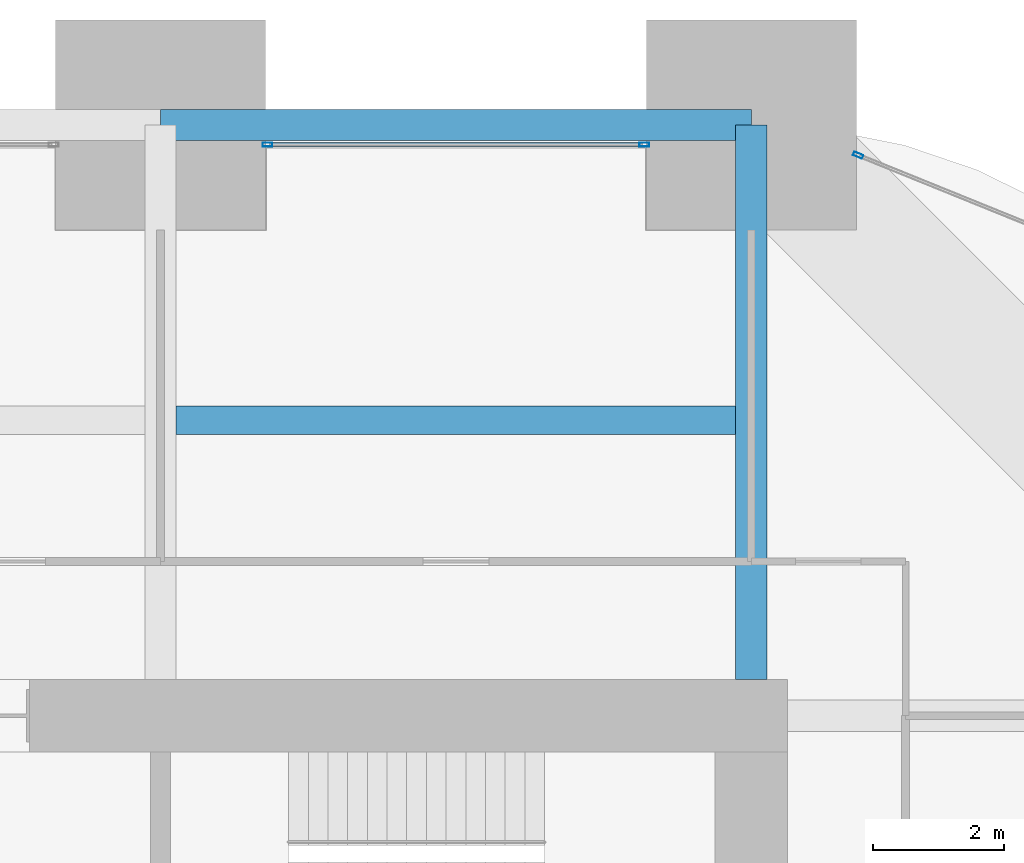
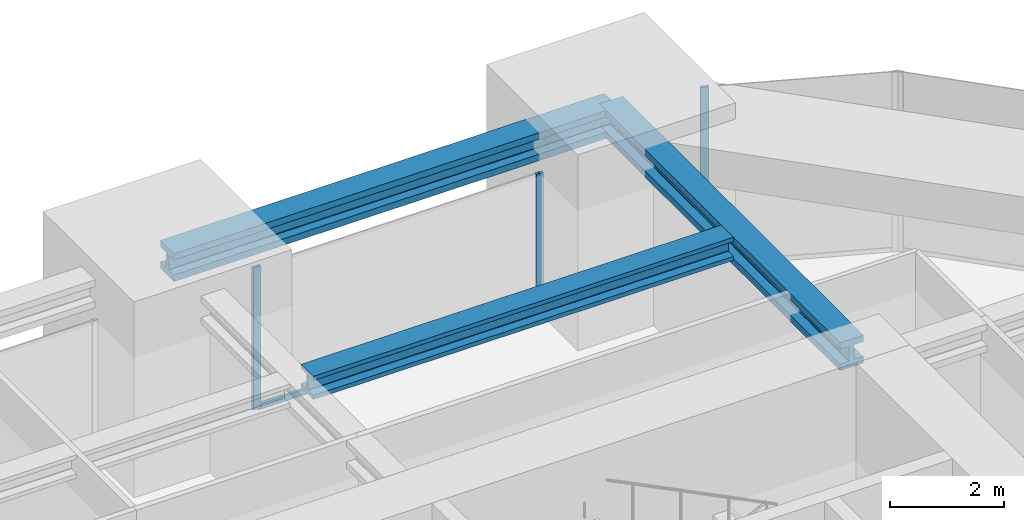
# One storey, part 31 of 39: 4 members, 3 beams, 2 elements without a shape of their own.
"""IFC4 building model written with IfcOpenShell, lengths in metres."""

from ifc_helpers import new_model, si_unit, direction, frame, origin, origin_2d, place, context, subcontext, project, spatial, hollow_rectangle, i_section, extrude, material, material_profile, profile_set, type_object, element, aggregate, save


model = new_model("IFC4")

# Units and contexts
model_context = context("Model", 3, precision=1e-05, world=origin(), true_north=direction((0.0, 1.0)))
body_context = subcontext(model_context, "Body", "Model", "MODEL_VIEW")
ifc_project = project(units=[si_unit("LENGTHUNIT", "METRE"), si_unit("AREAUNIT", "SQUARE_METRE"), si_unit("VOLUMEUNIT", "CUBIC_METRE"), si_unit("PLANEANGLEUNIT", "RADIAN"), si_unit("MASSUNIT", "GRAM", prefix="KILO")], contexts=[model_context])

# Site, building, storey
site_placement = place(None, origin())
site = spatial("IfcSite", under=ifc_project, at=site_placement, CompositionType="ELEMENT")
building_placement = place(site_placement, origin())
building = spatial("IfcBuilding", under=site, at=building_placement, Name="Zorevar Civic Tower", CompositionType="ELEMENT")
storey_placement = place(building_placement, frame((0.0, 0.0, 230.199951171875)))
storey = spatial("IfcBuildingStorey", under=building, at=storey_placement, Name="L56", CompositionType="ELEMENT", Elevation=230.199951171875)

# Beam
ifc_material_1 = material(Name="Steel S460M (HISTAR 460)", Category="steel")
ifc_material_profile_1 = material_profile(ifc_material_1, i_section(OverallWidth=0.47607421875, OverallDepth=0.60009765625, WebThickness=0.10009765625, FlangeThickness=0.139892578125, FilletRadius=0.014892578125, at=origin_2d()), Name="HD 400x1299")
ifc_profile_set_1 = profile_set([ifc_material_profile_1], Name="Steel S460M (HISTAR 460)")
beam_type_1 = type_object("IfcBeamType", Name="Belt chord HD 400x1299", PredefinedType="BEAM", material=ifc_profile_set_1)
beam_1_placement = place(storey_placement, frame((36.0, 45.0, 3.550048828125), z_axis=(1.0, 0.0, 0.0), x_axis=(0.0, 1.0, 0.0)))
element("IfcBeam", 1, at=beam_1_placement, inside=storey, type_object=beam_type_1, Name="Belt chord L57", PredefinedType="BEAM", context=body_context, shape_type="SweptSolid", body=[
    extrude(i_section(OverallWidth=0.47607421875, OverallDepth=0.60009765625, WebThickness=0.10009765625, FlangeThickness=0.139892578125, FilletRadius=0.014892578125, at=origin_2d()), origin(), (0.0, 0.0, 1.0), 9.0),
])

# Curtain wall, members
ifc_material_2 = material(Name="Dark grey solar-control glass in black aluminium frame", Category="aluminium")
curtain_wall_type = type_object("IfcCurtainWallType", Name="Curtain wall CW4 high zone", PredefinedType="NOTDEFINED", material=ifc_material_2)
curtain_wall_1_placement = place(storey_placement, origin())
curtain_wall_1 = element("IfcCurtainWall", 2, at=curtain_wall_1_placement, inside=storey, type_object=curtain_wall_type, Name="CW4 L56", PredefinedType="NOTDEFINED")
ifc_material_3 = material(Name="Aluminium, black anodised", Category="aluminium")
ifc_material_profile_2 = material_profile(ifc_material_3, hollow_rectangle(XDim=0.06005859375, YDim=0.14990234375, WallThickness=0.00390625, at=origin_2d()), Name="AL 150x60x4")
ifc_profile_set_2 = profile_set([ifc_material_profile_2], Name="Aluminium, black anodised")
member_type_1 = type_object("IfcMemberType", Name="CW4 mullion AL 150x60x4", PredefinedType="MULLION", material=ifc_profile_set_2)
member_1_placement = place(storey_placement, frame((37.6298828125, 44.699951171875, 0.0), z_axis=(0.0, 0.0, 1.0), x_axis=(0.0, 1.0, 0.0)))
member_1 = element("IfcMember", 3, at=member_1_placement, type_object=member_type_1, Name="CW4 mullion 1", PredefinedType="MULLION", context=body_context, shape_type="SweptSolid", body=[
    extrude(hollow_rectangle(XDim=0.06005859375, YDim=0.14990234375, WallThickness=0.00390625, at=origin_2d()), origin(), (0.0, 0.0, 1.0), 3.050048828125),
])
member_2_placement = place(storey_placement, frame((43.3701171875, 44.699951171875, 0.0), z_axis=(0.0, 0.0, 1.0), x_axis=(0.0, 1.0, 0.0)))
member_2 = element("IfcMember", 4, at=member_2_placement, type_object=member_type_1, Name="CW4 mullion 2", PredefinedType="MULLION", context=body_context, shape_type="SweptSolid", body=[
    extrude(hollow_rectangle(XDim=0.06005859375, YDim=0.14990234375, WallThickness=0.00390625, at=origin_2d()), origin(), (0.0, 0.0, 1.0), 3.050048828125),
])

# Curtain wall, member
curtain_wall_2_placement = place(storey_placement, origin())
curtain_wall_2 = element("IfcCurtainWall", 5, at=curtain_wall_2_placement, inside=storey, type_object=curtain_wall_type, Name="CW4 L56", PredefinedType="NOTDEFINED")
member_3_placement = place(storey_placement, frame((46.627685546875, 44.540283203125, 0.0), z_axis=(0.0, 0.0, 1.0), x_axis=(-0.375650166453, -0.926761540227, 0.0)))
member_3 = element("IfcMember", 6, at=member_3_placement, type_object=member_type_1, Name="CW4 mullion 2", PredefinedType="MULLION", context=body_context, shape_type="SweptSolid", body=[
    extrude(hollow_rectangle(XDim=0.06005859375, YDim=0.14990234375, WallThickness=0.00390625, at=origin_2d()), origin(), (0.0, 0.0, 1.0), 3.85009765625),
])
aggregate(curtain_wall_2, [member_3])

# Member
ifc_material_4 = material(Name="Aluminium, black anodised", Category="aluminium")
ifc_material_profile_3 = material_profile(ifc_material_4, hollow_rectangle(XDim=0.06005859375, YDim=0.1201171875, WallThickness=0.0029296875, at=origin_2d()), Name="AL 120x60x3")
ifc_profile_set_3 = profile_set([ifc_material_profile_3], Name="Aluminium, black anodised")
member_type_2 = type_object("IfcMemberType", Name="CW4 transom AL 120x60x3", PredefinedType="USERDEFINED", material=ifc_profile_set_3)
member_4_placement = place(storey_placement, frame((37.659912109375, 44.699951171875, 0.030029296875), z_axis=(1.0, 0.0, 0.0), x_axis=(0.0, 1.0, 0.0)))
member_4 = element("IfcMember", 7, at=member_4_placement, type_object=member_type_2, Name="CW4 sill transom", ObjectType="TRANSOM", PredefinedType="USERDEFINED", context=body_context, shape_type="SweptSolid", body=[
    extrude(hollow_rectangle(XDim=0.06005859375, YDim=0.1201171875, WallThickness=0.0029296875, at=origin_2d()), origin(), (0.0, 0.0, 1.0), 5.68017578125),
])

aggregate(curtain_wall_1, [member_1, member_2, member_4])

# Beams
ifc_material_5 = material(Name="Steel S460M (HISTAR 460)", Category="steel")
ifc_material_profile_4 = material_profile(ifc_material_5, i_section(OverallWidth=0.431884765625, OverallDepth=0.498046875, WebThickness=0.0556640625, FlangeThickness=0.0888671875, FilletRadius=0.014892578125, at=origin_2d()), Name="HD 400x744")
ifc_profile_set_4 = profile_set([ifc_material_profile_4], Name="Steel S460M (HISTAR 460)")
beam_type_2 = type_object("IfcBeamType", Name="Core bay beam HD 400x744", PredefinedType="BEAM", material=ifc_profile_set_4)
beam_2_placement = place(storey_placement, frame((36.238037109375, 40.5, 3.60107421875), z_axis=(1.0, 0.0, 0.0), x_axis=(0.0, 1.0, 0.0)))
element("IfcBeam", 8, at=beam_2_placement, inside=storey, type_object=beam_type_2, Name="Secondary beam L57", PredefinedType="BEAM", context=body_context, shape_type="SweptSolid", body=[
    extrude(i_section(OverallWidth=0.431884765625, OverallDepth=0.498046875, WebThickness=0.0556640625, FlangeThickness=0.0888671875, FilletRadius=0.014892578125, at=origin_2d()), origin(), (0.0, 0.0, 1.0), 8.52392578125),
])
ifc_material_6 = material(Name="Steel S460M (HISTAR 460)", Category="steel")
ifc_material_profile_5 = material_profile(ifc_material_6, i_section(OverallWidth=0.47607421875, OverallDepth=0.60009765625, WebThickness=0.10009765625, FlangeThickness=0.139892578125, FilletRadius=0.014892578125, at=origin_2d()), Name="HD 400x1299")
ifc_profile_set_5 = profile_set([ifc_material_profile_5], Name="Steel S460M (HISTAR 460)")
beam_type_3 = type_object("IfcBeamType", Name="Outrigger chord HD 400x1299", PredefinedType="BEAM", material=ifc_profile_set_5)
beam_3_placement = place(storey_placement, frame((45.0, 36.550048828125, 3.550048828125), z_axis=(0.0, 1.0, 0.0), x_axis=(-1.0, 0.0, 0.0)))
element("IfcBeam", 9, at=beam_3_placement, inside=storey, type_object=beam_type_3, Name="Outrigger chord L57", PredefinedType="BEAM", context=body_context, shape_type="SweptSolid", body=[
    extrude(i_section(OverallWidth=0.47607421875, OverallDepth=0.60009765625, WebThickness=0.10009765625, FlangeThickness=0.139892578125, FilletRadius=0.014892578125, at=origin_2d()), origin(), (0.0, 0.0, 1.0), 8.449951171875),
])

save(model, "model.ifc")
